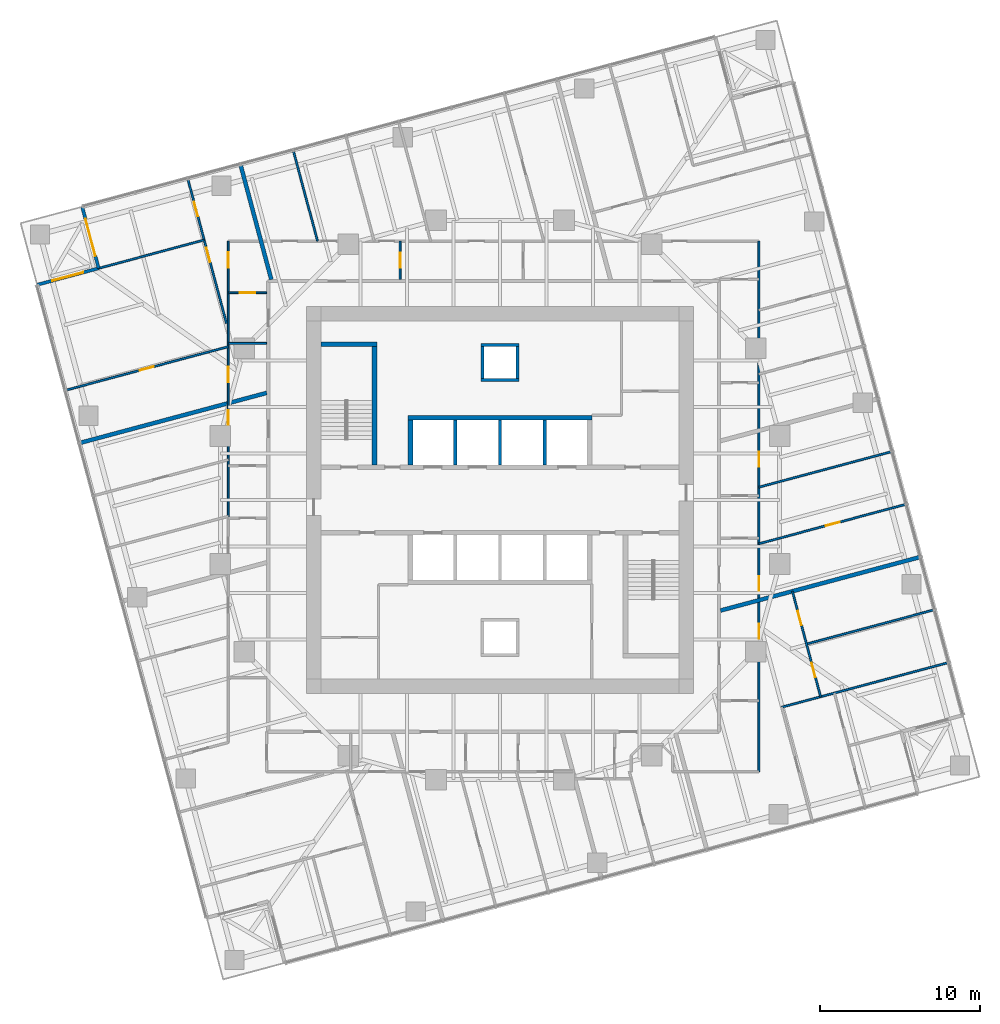
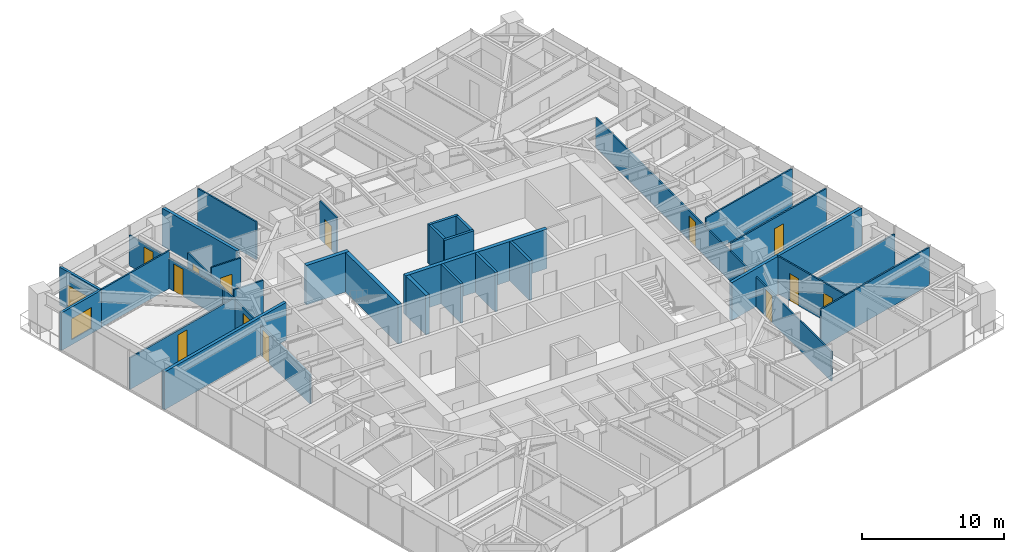
# One storey, part 11 of 14: 30 walls, 15 doors, 1 window, 16 openings.
"""IFC4 building model written with IfcOpenShell, lengths in metres."""

from ifc_helpers import new_model, si_unit, direction, frame, frame_2d, origin, place, context, subcontext, project, spatial, rectangle, extrude, material, layer, layer_set, type_object, element, fill, save


model = new_model("IFC4")

# Units and contexts
model_context = context("Model", 3, precision=1e-05, world=origin(), true_north=direction((0.0, 1.0)))
body_context = subcontext(model_context, "Body", "Model", "MODEL_VIEW")
ifc_project = project(units=[si_unit("LENGTHUNIT", "METRE"), si_unit("AREAUNIT", "SQUARE_METRE"), si_unit("VOLUMEUNIT", "CUBIC_METRE"), si_unit("PLANEANGLEUNIT", "RADIAN"), si_unit("MASSUNIT", "GRAM", prefix="KILO")], contexts=[model_context])

# Site, building, storey
site_placement = place(None, origin())
site = spatial("IfcSite", under=ifc_project, at=site_placement, CompositionType="ELEMENT")
building_placement = place(site_placement, origin())
building = spatial("IfcBuilding", under=site, at=building_placement, Name="Torsade Residences", CompositionType="ELEMENT")
storey_placement = place(building_placement, frame((0.0, 0.0, 128.60009765625)))
storey = spatial("IfcBuildingStorey", under=building, at=storey_placement, Name="L35", CompositionType="ELEMENT", Elevation=128.60009765625)

# Walls
ifc_material_1 = material(Name="Concrete 80 MPa", Category="concrete")
ifc_layer_1 = layer(ifc_material_1, 0.300048828125)
ifc_layer_set_1 = layer_set([ifc_layer_1], Name="Concrete 80 MPa")
wall_type_1 = type_object("IfcWallType", Name="CORE INTERNAL WALL 300", PredefinedType="SHEAR", material=ifc_layer_set_1)
wall_1_placement = place(storey_placement, frame((34.25, 35.14990234375, 0.0), z_axis=(0.0, 0.0, 1.0), x_axis=(1.0, 0.0, 0.0)))
element("IfcWall", 1, at=wall_1_placement, inside=storey, type_object=wall_type_1, Name="Core wall BN L35", PredefinedType="SHEAR", context=body_context, shape_type="SweptSolid", body=[
    extrude(rectangle(XDim=11.5, YDim=0.300048828125, at=frame_2d((5.75, 0.0))), origin(), (0.0, 0.0, 1.0), 3.39990234375),
])
wall_2_placement = place(storey_placement, frame((34.39990234375, 32.199951171875, 0.0), z_axis=(0.0, 0.0, 1.0), x_axis=(0.0, 1.0, 0.0)))
element("IfcWall", 2, at=wall_2_placement, inside=storey, type_object=wall_type_1, Name="Core wall DN0 L35", PredefinedType="SHEAR", context=body_context, shape_type="SweptSolid", body=[
    extrude(rectangle(XDim=2.800048828125, YDim=0.300048828125, at=frame_2d((1.39990234375, 0.0))), origin(), (0.0, 0.0, 1.0), 3.39990234375),
])
wall_3_placement = place(storey_placement, frame((32.14990234375, 32.199951171875, 0.0), z_axis=(0.0, 0.0, 1.0), x_axis=(0.0, 1.0, 0.0)))
element("IfcWall", 3, at=wall_3_placement, inside=storey, type_object=wall_type_1, Name="Core wall ST1E L35", PredefinedType="SHEAR", context=body_context, shape_type="SweptSolid", body=[
    extrude(rectangle(XDim=7.699951171875, YDim=0.300048828125, at=frame_2d((3.85009765625, 0.0))), origin(), (0.0, 0.0, 1.0), 3.39990234375),
])
wall_4_placement = place(storey_placement, frame((28.800048828125, 39.75, 0.0), z_axis=(0.0, 0.0, 1.0), x_axis=(1.0, 0.0, 0.0)))
element("IfcWall", 4, at=wall_4_placement, inside=storey, type_object=wall_type_1, Name="Core wall ST1N L35", PredefinedType="SHEAR", context=body_context, shape_type="SweptSolid", body=[
    extrude(rectangle(XDim=3.5, YDim=0.300048828125, at=frame_2d((1.75, 0.0))), origin(), (0.0, 0.0, 1.0), 3.39990234375),
])
ifc_material_2 = material(Name="Reinforced blockwork", Category="masonry")
ifc_layer_2 = layer(ifc_material_2, 0.199951171875)
ifc_layer_set_2 = layer_set([ifc_layer_2], Name="Reinforced blockwork")
wall_type_2 = type_object("IfcWallType", Name="LIFT SHAFT DIVIDING WALL 200", PredefinedType="SOLIDWALL", material=ifc_layer_set_2)
for number, where, z_axis, x_axis, name in (
    (5, (37.199951171875, 32.199951171875, 0.0), (0.0, 0.0, 1.0), (0.0, 1.0, 0.0), "Core wall DN1 L35"),
    (6, (40.0, 32.199951171875, 0.0), (0.0, 0.0, 1.0), (0.0, 1.0, 0.0), "Core wall DN2 L35"),
    (7, (42.800048828125, 32.199951171875, 0.0), (0.0, 0.0, 1.0), (0.0, 1.0, 0.0), "Core wall DN3 L35"),
):
    element("IfcWall", number, at=place(storey_placement, frame(where, z_axis=z_axis, x_axis=x_axis)), inside=storey, type_object=wall_type_2, Name=name, PredefinedType="SOLIDWALL", context=body_context, shape_type="SweptSolid", body=[
        extrude(rectangle(XDim=2.800048828125, YDim=0.199951171875, at=frame_2d((1.39990234375, 0.0))), origin(), (0.0, 0.0, 1.0), 3.39990234375),
    ])

# Wall, openings, doors
ifc_material_3 = material(Name="Plasterboard on steel stud", Category="steel")
ifc_layer_3 = layer(ifc_material_3, 0.1201171875)
ifc_layer_set_3 = layer_set([ifc_layer_3], Name="Plasterboard on steel stud")
wall_type_3 = type_object("IfcWallType", Name="PARTITION 120", PredefinedType="PARTITIONING", material=ifc_layer_set_3)
wall_5_placement = place(storey_placement, frame((56.199951171875, 46.199951171875, 0.0), z_axis=(0.0, 0.0, 1.0), x_axis=(0.0, -1.0, 0.0)))
wall_5 = element("IfcWall", 8, at=wall_5_placement, inside=storey, type_object=wall_type_3, Name="Partition L35", PredefinedType="PARTITIONING", context=body_context, shape_type="SweptSolid", body=[
    extrude(rectangle(XDim=33.199951171875, YDim=0.1201171875, at=frame_2d((16.60009765625, 0.0))), origin(), (0.0, 0.0, 1.0), 2.5498046875),
])
opening_1_placement = place(wall_5_placement, frame((23.95458984375, 0.0, 0.0)))
opening_1 = element("IfcOpeningElement", 9, at=opening_1_placement, cuts=wall_5, Name="Opening D02", PredefinedType="OPENING", context=body_context, shape_type="SweptSolid", body=[
    extrude(rectangle(XDim=0.919921875, YDim=2.340087890625, at=frame_2d((0.4599609375, 1.169921875))), frame((0.0, 0.070068359375, 0.0), z_axis=(0.0, -1.0, 0.0), x_axis=(1.0, 0.0, 0.0)), (0.0, 0.0, 1.0), 0.14013671875),
])
opening_2_placement = place(wall_5_placement, frame((20.96630859375, 0.0, 0.0)))
opening_2 = element("IfcOpeningElement", 10, at=opening_2_placement, cuts=wall_5, Name="Opening D02", PredefinedType="OPENING", context=body_context, shape_type="SweptSolid", body=[
    extrude(rectangle(XDim=0.919921875, YDim=2.340087890625, at=frame_2d((0.4599609375, 1.169921875))), frame((0.0, 0.070068359375, 0.0), z_axis=(0.0, -1.0, 0.0), x_axis=(1.0, 0.0, 0.0)), (0.0, 0.0, 1.0), 0.14013671875),
])
opening_3_placement = place(wall_5_placement, frame((13.173828125, 0.0, 0.0)))
opening_3 = element("IfcOpeningElement", 11, at=opening_3_placement, cuts=wall_5, Name="Opening D05", PredefinedType="OPENING", context=body_context, shape_type="SweptSolid", body=[
    extrude(rectangle(XDim=0.9599609375, YDim=2.10009765625, at=frame_2d((0.47998046875, 1.050048828125))), frame((0.0, 0.070068359375, 0.0), z_axis=(0.0, -1.0, 0.0), x_axis=(1.0, 0.0, 0.0)), (0.0, 0.0, 1.0), 0.14013671875),
])
ifc_material_4 = material(Name="Hollow-core timber door in a steel cavity frame", Category="steel")
door_type_1 = type_object("IfcDoorType", Name="BATHROOM CAVITY SLIDING DOOR 960", OperationType="SLIDING_TO_LEFT", PredefinedType="DOOR", material=ifc_material_4)
door_1_placement = place(opening_3_placement, origin())
door_1 = element("IfcDoor", 12, at=door_1_placement, inside=storey, type_object=door_type_1, Name="Door Bathroom to Bedroom 2", OperationType="SLIDING_TO_LEFT", OverallHeight=2.10009765625, OverallWidth=0.9599609375, PredefinedType="DOOR", context=body_context, shape_type="SweptSolid", body=[
    extrude(rectangle(XDim=0.9599609375, YDim=2.10009765625, at=frame_2d((0.47998046875, 1.050048828125))), frame((0.0, 0.02490234375, 0.0), z_axis=(0.0, -1.0, 0.0), x_axis=(1.0, 0.0, 0.0)), (0.0, 0.0, 1.0), 0.050048828125),
])
fill(opening_3, door_1)
ifc_material_5 = material(Name="Hollow-core timber door", Category="wood")
door_type_2 = type_object("IfcDoorType", Name="INTERNAL DOOR 920x2340", OperationType="NOTDEFINED", PredefinedType="DOOR", material=ifc_material_5)
door_2_placement = place(opening_1_placement, origin())
door_2 = element("IfcDoor", 13, at=door_2_placement, inside=storey, type_object=door_type_2, Name="Door Kitchen and dining to Living room", OperationType="SINGLE_SWING_RIGHT", OverallHeight=2.340087890625, OverallWidth=0.919921875, PredefinedType="DOOR", context=body_context, shape_type="SweptSolid", body=[
    extrude(rectangle(XDim=0.919921875, YDim=2.340087890625, at=frame_2d((0.4599609375, 1.169921875))), frame((0.0, 0.02490234375, 0.0), z_axis=(0.0, -1.0, 0.0), x_axis=(1.0, 0.0, 0.0)), (0.0, 0.0, 1.0), 0.050048828125),
])
fill(opening_1, door_2)
door_3_placement = place(opening_2_placement, origin())
door_3 = element("IfcDoor", 14, at=door_3_placement, inside=storey, type_object=door_type_2, Name="Door Kitchen and dining to Living room", OperationType="SINGLE_SWING_RIGHT", OverallHeight=2.340087890625, OverallWidth=0.919921875, PredefinedType="DOOR", context=body_context, shape_type="SweptSolid", body=[
    extrude(rectangle(XDim=0.919921875, YDim=2.340087890625, at=frame_2d((0.4599609375, 1.169921875))), frame((0.0, 0.02490234375, 0.0), z_axis=(0.0, -1.0, 0.0), x_axis=(1.0, 0.0, 0.0)), (0.0, 0.0, 1.0), 0.050048828125),
])
fill(opening_2, door_3)

wall_6_placement = place(storey_placement, frame((58.2919921875, 24.289794921875, 0.0), z_axis=(0.0, 0.0, 1.0), x_axis=(0.258809899302, -0.965928276853, 0.0)))
wall_6 = element("IfcWall", 15, at=wall_6_placement, inside=storey, type_object=wall_type_3, Name="Partition L35", PredefinedType="PARTITIONING", context=body_context, shape_type="SweptSolid", body=[
    extrude(rectangle(XDim=6.83349609375, YDim=0.1201171875, at=frame_2d((3.416748046875, 0.0))), origin(), (0.0, 0.0, 1.0), 3.25),
])
opening_4_placement = place(wall_6_placement, frame((1.2734375, 0.0, 0.0)))
opening_4 = element("IfcOpeningElement", 16, at=opening_4_placement, cuts=wall_6, Name="Opening D02", PredefinedType="OPENING", context=body_context, shape_type="SweptSolid", body=[
    extrude(rectangle(XDim=0.919921875, YDim=2.340087890625, at=frame_2d((0.4599609375, 1.169921875))), frame((0.0, 0.070068359375, 0.0), z_axis=(0.0, -1.0, 0.0), x_axis=(1.0, 0.0, 0.0)), (0.0, 0.0, 1.0), 0.14013671875),
])
opening_5_placement = place(wall_6_placement, frame((4.639892578125, 0.0, 0.0)))
opening_5 = element("IfcOpeningElement", 17, at=opening_5_placement, cuts=wall_6, Name="Opening D02", PredefinedType="OPENING", context=body_context, shape_type="SweptSolid", body=[
    extrude(rectangle(XDim=0.919921875, YDim=2.340087890625, at=frame_2d((0.4599609375, 1.169921875))), frame((0.0, 0.070068359375, 0.0), z_axis=(0.0, -1.0, 0.0), x_axis=(1.0, 0.0, 0.0)), (0.0, 0.0, 1.0), 0.14013671875),
])
door_4_placement = place(opening_4_placement, origin())
door_4 = element("IfcDoor", 18, at=door_4_placement, inside=storey, type_object=door_type_2, Name="Door Living room to Bedroom 1", OperationType="SINGLE_SWING_LEFT", OverallHeight=2.340087890625, OverallWidth=0.919921875, PredefinedType="DOOR", context=body_context, shape_type="SweptSolid", body=[
    extrude(rectangle(XDim=0.919921875, YDim=2.340087890625, at=frame_2d((0.4599609375, 1.169921875))), frame((0.0, 0.02490234375, 0.0), z_axis=(0.0, -1.0, 0.0), x_axis=(1.0, 0.0, 0.0)), (0.0, 0.0, 1.0), 0.050048828125),
])
fill(opening_4, door_4)
door_5_placement = place(opening_5_placement, origin())
door_5 = element("IfcDoor", 19, at=door_5_placement, inside=storey, type_object=door_type_2, Name="Door Living room to Bedroom 2", OperationType="SINGLE_SWING_LEFT", OverallHeight=2.340087890625, OverallWidth=0.919921875, PredefinedType="DOOR", context=body_context, shape_type="SweptSolid", body=[
    extrude(rectangle(XDim=0.919921875, YDim=2.340087890625, at=frame_2d((0.4599609375, 1.169921875))), frame((0.0, 0.02490234375, 0.0), z_axis=(0.0, -1.0, 0.0), x_axis=(1.0, 0.0, 0.0)), (0.0, 0.0, 1.0), 0.050048828125),
])
fill(opening_5, door_5)

# Walls
wall_7_placement = place(storey_placement, frame((68.048095703125, 19.82958984375, 0.0), z_axis=(0.0, 0.0, 1.0), x_axis=(-0.965921496576, -0.258835203272, 0.0)))
element("IfcWall", 20, at=wall_7_placement, inside=storey, type_object=wall_type_3, Name="Partition L35", PredefinedType="PARTITIONING", context=body_context, shape_type="SweptSolid", body=[
    extrude(rectangle(XDim=10.79345703125, YDim=0.1201171875, at=frame_2d((5.396728515625, 0.0))), origin(), (0.0, 0.0, 1.0), 3.25),
])
wall_8_placement = place(storey_placement, frame((67.163818359375, 23.129638671875, 0.0), z_axis=(0.0, 0.0, 1.0), x_axis=(-0.965929470378, -0.258805444794, 0.0)))
element("IfcWall", 21, at=wall_8_placement, inside=storey, type_object=wall_type_3, Name="Partition L35", PredefinedType="PARTITIONING", context=body_context, shape_type="SweptSolid", body=[
    extrude(rectangle(XDim=8.269287109375, YDim=0.1201171875, at=frame_2d((4.134765625, 0.0))), origin(), (0.0, 0.0, 1.0), 2.721923828125),
])

# Wall, opening, door
wall_9_placement = place(storey_placement, frame((56.199951171875, 27.266357421875, 0.0), z_axis=(0.0, 0.0, 1.0), x_axis=(0.965926072385, 0.25881812666, 0.0)))
wall_9 = element("IfcWall", 22, at=wall_9_placement, inside=storey, type_object=wall_type_3, Name="Partition L35", PredefinedType="PARTITIONING", context=body_context, shape_type="SweptSolid", body=[
    extrude(rectangle(XDim=9.519775390625, YDim=0.1201171875, at=frame_2d((4.759765625, 0.0))), origin(), (0.0, 0.0, 1.0), 3.25),
])
opening_6_placement = place(wall_9_placement, frame((4.31982421875, 0.0, 0.0)))
opening_6 = element("IfcOpeningElement", 23, at=opening_6_placement, cuts=wall_9, Name="Opening D02", PredefinedType="OPENING", context=body_context, shape_type="SweptSolid", body=[
    extrude(rectangle(XDim=0.919921875, YDim=2.340087890625, at=frame_2d((0.4599609375, 1.169921875))), frame((0.0, 0.070068359375, 0.0), z_axis=(0.0, -1.0, 0.0), x_axis=(1.0, 0.0, 0.0)), (0.0, 0.0, 1.0), 0.14013671875),
])
door_6_placement = place(opening_6_placement, origin())
door_6 = element("IfcDoor", 24, at=door_6_placement, inside=storey, type_object=door_type_2, Name="Door Living room to Bedroom 1", OperationType="SINGLE_SWING_LEFT", OverallHeight=2.340087890625, OverallWidth=0.919921875, PredefinedType="DOOR", context=body_context, shape_type="SweptSolid", body=[
    extrude(rectangle(XDim=0.919921875, YDim=2.340087890625, at=frame_2d((0.4599609375, 1.169921875))), frame((0.0, 0.02490234375, 0.0), z_axis=(0.0, -1.0, 0.0), x_axis=(1.0, 0.0, 0.0)), (0.0, 0.0, 1.0), 0.050048828125),
])
fill(opening_6, door_6)

# Wall
wall_10_placement = place(storey_placement, frame((56.199951171875, 30.803466796875, 0.0), z_axis=(0.0, 0.0, 1.0), x_axis=(0.965920565748, 0.258838676912, 0.0)))
element("IfcWall", 25, at=wall_10_placement, inside=storey, type_object=wall_type_3, Name="Partition L35", PredefinedType="PARTITIONING", context=body_context, shape_type="SweptSolid", body=[
    extrude(rectangle(XDim=8.60400390625, YDim=0.1201171875, at=frame_2d((4.302001953125, 0.0))), origin(), (0.0, 0.0, 1.0), 3.25),
])

# Wall, opening, door
wall_11_placement = place(storey_placement, frame((33.754150390625, 46.199951171875, 0.0), z_axis=(0.0, 0.0, 1.0), x_axis=(0.0, -1.0, 0.0)))
wall_11 = element("IfcWall", 26, at=wall_11_placement, inside=storey, type_object=wall_type_3, Name="Partition L35", PredefinedType="PARTITIONING", context=body_context, shape_type="SweptSolid", body=[
    extrude(rectangle(XDim=2.39990234375, YDim=0.1201171875, at=frame_2d((1.199951171875, 0.0))), origin(), (0.0, 0.0, 1.0), 3.25),
])
opening_7_placement = place(wall_11_placement, frame((0.719970703125, 0.0, 0.0)))
opening_7 = element("IfcOpeningElement", 27, at=opening_7_placement, cuts=wall_11, Name="Opening D05", PredefinedType="OPENING", context=body_context, shape_type="SweptSolid", body=[
    extrude(rectangle(XDim=0.9599609375, YDim=2.10009765625, at=frame_2d((0.47998046875, 1.050048828125))), frame((0.0, 0.070068359375, 0.0), z_axis=(0.0, -1.0, 0.0), x_axis=(1.0, 0.0, 0.0)), (0.0, 0.0, 1.0), 0.14013671875),
])
door_7_placement = place(opening_7_placement, origin())
door_7 = element("IfcDoor", 28, at=door_7_placement, inside=storey, type_object=door_type_1, Name="Door Kitchen and dining to Bathroom", OperationType="SLIDING_TO_LEFT", OverallHeight=2.10009765625, OverallWidth=0.9599609375, PredefinedType="DOOR", context=body_context, shape_type="SweptSolid", body=[
    extrude(rectangle(XDim=0.9599609375, YDim=2.10009765625, at=frame_2d((0.47998046875, 1.050048828125))), frame((0.0, 0.02490234375, 0.0), z_axis=(0.0, -1.0, 0.0), x_axis=(1.0, 0.0, 0.0)), (0.0, 0.0, 1.0), 0.050048828125),
])
fill(opening_7, door_7)

# Walls
wall_12_placement = place(storey_placement, frame((28.584716796875, 46.199951171875, 0.0), z_axis=(0.0, 0.0, 1.0), x_axis=(-0.258790947109, 0.965933354686, 0.0)))
element("IfcWall", 29, at=wall_12_placement, inside=storey, type_object=wall_type_3, Name="Partition L35", PredefinedType="PARTITIONING", context=body_context, shape_type="SweptSolid", body=[
    extrude(rectangle(XDim=5.857421875, YDim=0.1201171875, at=frame_2d((2.9287109375, 0.0))), origin(), (0.0, 0.0, 1.0), 3.25),
])
wall_13_placement = place(storey_placement, frame((25.39990234375, 39.79541015625, 0.0), z_axis=(0.0, 0.0, 1.0), x_axis=(-1.0, 0.0, 0.0)))
element("IfcWall", 30, at=wall_13_placement, inside=storey, type_object=wall_type_3, Name="Partition L35", PredefinedType="PARTITIONING", context=body_context, shape_type="SweptSolid", body=[
    extrude(rectangle(XDim=2.39990234375, YDim=0.1201171875, at=frame_2d((1.199951171875, 0.0))), origin(), (0.0, 0.0, 1.0), 3.25),
])

# Wall, openings, doors
wall_14_placement = place(storey_placement, frame((23.0, 28.93017578125, 0.0), z_axis=(0.0, 0.0, 1.0), x_axis=(0.0, 1.0, 0.0)))
wall_14 = element("IfcWall", 31, at=wall_14_placement, inside=storey, type_object=wall_type_3, Name="Partition L35", PredefinedType="PARTITIONING", context=body_context, shape_type="SweptSolid", body=[
    extrude(rectangle(XDim=17.269775390625, YDim=0.1201171875, at=frame_2d((8.634765625, 0.0))), origin(), (0.0, 0.0, 1.0), 2.5498046875),
])
opening_8_placement = place(wall_14_placement, frame((5.771728515625, 0.0, 0.0)))
opening_8 = element("IfcOpeningElement", 32, at=opening_8_placement, cuts=wall_14, Name="Opening D02", PredefinedType="OPENING", context=body_context, shape_type="SweptSolid", body=[
    extrude(rectangle(XDim=0.919921875, YDim=2.340087890625, at=frame_2d((0.4599609375, 1.169921875))), frame((0.0, 0.070068359375, 0.0), z_axis=(0.0, -1.0, 0.0), x_axis=(1.0, 0.0, 0.0)), (0.0, 0.0, 1.0), 0.14013671875),
])
opening_9_placement = place(wall_14_placement, frame((15.5986328125, 0.0, 0.0)))
opening_9 = element("IfcOpeningElement", 33, at=opening_9_placement, cuts=wall_14, Name="Opening D05", PredefinedType="OPENING", context=body_context, shape_type="SweptSolid", body=[
    extrude(rectangle(XDim=0.9599609375, YDim=2.10009765625, at=frame_2d((0.47998046875, 1.050048828125))), frame((0.0, 0.070068359375, 0.0), z_axis=(0.0, -1.0, 0.0), x_axis=(1.0, 0.0, 0.0)), (0.0, 0.0, 1.0), 0.14013671875),
])
opening_10_placement = place(wall_14_placement, frame((8.440673828125, 0.0, 0.0)))
opening_10 = element("IfcOpeningElement", 34, at=opening_10_placement, cuts=wall_14, Name="Opening D05", PredefinedType="OPENING", context=body_context, shape_type="SweptSolid", body=[
    extrude(rectangle(XDim=0.9599609375, YDim=2.10009765625, at=frame_2d((0.47998046875, 1.050048828125))), frame((0.0, 0.070068359375, 0.0), z_axis=(0.0, -1.0, 0.0), x_axis=(1.0, 0.0, 0.0)), (0.0, 0.0, 1.0), 0.14013671875),
])
door_8_placement = place(opening_9_placement, origin())
door_8 = element("IfcDoor", 35, at=door_8_placement, inside=storey, type_object=door_type_1, Name="Door WC to Bedroom 3", OperationType="SLIDING_TO_LEFT", OverallHeight=2.10009765625, OverallWidth=0.9599609375, PredefinedType="DOOR", context=body_context, shape_type="SweptSolid", body=[
    extrude(rectangle(XDim=0.9599609375, YDim=2.10009765625, at=frame_2d((0.47998046875, 1.050048828125))), frame((0.0, 0.02490234375, 0.0), z_axis=(0.0, -1.0, 0.0), x_axis=(1.0, 0.0, 0.0)), (0.0, 0.0, 1.0), 0.050048828125),
])
fill(opening_9, door_8)
door_9_placement = place(opening_10_placement, origin())
door_9 = element("IfcDoor", 36, at=door_9_placement, inside=storey, type_object=door_type_1, Name="Door Bedroom 1 to Bathroom", OperationType="SLIDING_TO_LEFT", OverallHeight=2.10009765625, OverallWidth=0.9599609375, PredefinedType="DOOR", context=body_context, shape_type="SweptSolid", body=[
    extrude(rectangle(XDim=0.9599609375, YDim=2.10009765625, at=frame_2d((0.47998046875, 1.050048828125))), frame((0.0, 0.02490234375, 0.0), z_axis=(0.0, -1.0, 0.0), x_axis=(1.0, 0.0, 0.0)), (0.0, 0.0, 1.0), 0.050048828125),
])
fill(opening_10, door_9)
door_10_placement = place(opening_8_placement, origin())
door_10 = element("IfcDoor", 37, at=door_10_placement, inside=storey, type_object=door_type_2, Name="Door Kitchen and dining to Living room", OperationType="SINGLE_SWING_LEFT", OverallHeight=2.340087890625, OverallWidth=0.919921875, PredefinedType="DOOR", context=body_context, shape_type="SweptSolid", body=[
    extrude(rectangle(XDim=0.919921875, YDim=2.340087890625, at=frame_2d((0.4599609375, 1.169921875))), frame((0.0, 0.02490234375, 0.0), z_axis=(0.0, -1.0, 0.0), x_axis=(1.0, 0.0, 0.0)), (0.0, 0.0, 1.0), 0.050048828125),
])
fill(opening_8, door_10)

# Wall, opening, door
wall_15_placement = place(storey_placement, frame((23.0, 42.968017578125, 0.0), z_axis=(0.0, 0.0, 1.0), x_axis=(1.0, 0.0, 0.0)))
wall_15 = element("IfcWall", 38, at=wall_15_placement, inside=storey, type_object=wall_type_3, Name="Partition L35", PredefinedType="PARTITIONING", context=body_context, shape_type="SweptSolid", body=[
    extrude(rectangle(XDim=2.39990234375, YDim=0.1201171875, at=frame_2d((1.199951171875, 0.0))), origin(), (0.0, 0.0, 1.0), 3.25),
])
opening_11_placement = place(wall_15_placement, frame((0.719970703125, 0.0, 0.0)))
opening_11 = element("IfcOpeningElement", 39, at=opening_11_placement, cuts=wall_15, Name="Opening D05", PredefinedType="OPENING", context=body_context, shape_type="SweptSolid", body=[
    extrude(rectangle(XDim=0.9599609375, YDim=2.10009765625, at=frame_2d((0.47998046875, 1.050048828125))), frame((0.0, 0.070068359375, 0.0), z_axis=(0.0, -1.0, 0.0), x_axis=(1.0, 0.0, 0.0)), (0.0, 0.0, 1.0), 0.14013671875),
])
door_11_placement = place(opening_11_placement, origin())
door_11 = element("IfcDoor", 40, at=door_11_placement, inside=storey, type_object=door_type_1, Name="Door Kitchen and dining to WC", OperationType="SLIDING_TO_LEFT", OverallHeight=2.10009765625, OverallWidth=0.9599609375, PredefinedType="DOOR", context=body_context, shape_type="SweptSolid", body=[
    extrude(rectangle(XDim=0.9599609375, YDim=2.10009765625, at=frame_2d((0.47998046875, 1.050048828125))), frame((0.0, 0.02490234375, 0.0), z_axis=(0.0, -1.0, 0.0), x_axis=(1.0, 0.0, 0.0)), (0.0, 0.0, 1.0), 0.050048828125),
])
fill(opening_11, door_11)

wall_16_placement = place(storey_placement, frame((23.0, 39.59375, 0.0), z_axis=(0.0, 0.0, 1.0), x_axis=(-0.9659257847, -0.258819200315, 0.0)))
wall_16 = element("IfcWall", 41, at=wall_16_placement, inside=storey, type_object=wall_type_3, Name="Partition L35", PredefinedType="PARTITIONING", context=body_context, shape_type="SweptSolid", body=[
    extrude(rectangle(XDim=10.5224609375, YDim=0.1201171875, at=frame_2d((5.26123046875, 0.0))), origin(), (0.0, 0.0, 1.0), 2.721923828125),
])
opening_12_placement = place(wall_16_placement, frame((4.821044921875, 0.0, 0.0)))
opening_12 = element("IfcOpeningElement", 42, at=opening_12_placement, cuts=wall_16, Name="Opening D02", PredefinedType="OPENING", context=body_context, shape_type="SweptSolid", body=[
    extrude(rectangle(XDim=0.919921875, YDim=2.340087890625, at=frame_2d((0.4599609375, 1.169921875))), frame((0.0, 0.070068359375, 0.0), z_axis=(0.0, -1.0, 0.0), x_axis=(1.0, 0.0, 0.0)), (0.0, 0.0, 1.0), 0.14013671875),
])
door_12_placement = place(opening_12_placement, origin())
door_12 = element("IfcDoor", 43, at=door_12_placement, inside=storey, type_object=door_type_2, Name="Door Living room to Bedroom 1", OperationType="SINGLE_SWING_RIGHT", OverallHeight=2.340087890625, OverallWidth=0.919921875, PredefinedType="DOOR", context=body_context, shape_type="SweptSolid", body=[
    extrude(rectangle(XDim=0.919921875, YDim=2.340087890625, at=frame_2d((0.4599609375, 1.169921875))), frame((0.0, 0.02490234375, 0.0), z_axis=(0.0, -1.0, 0.0), x_axis=(1.0, 0.0, 0.0)), (0.0, 0.0, 1.0), 0.050048828125),
])
fill(opening_12, door_12)

# Wall
wall_17_placement = place(storey_placement, frame((14.931396484375, 44.506103515625, 0.0), z_axis=(0.0, 0.0, 1.0), x_axis=(0.965922865286, 0.258830095464, 0.0)))
element("IfcWall", 44, at=wall_17_placement, inside=storey, type_object=wall_type_3, Name="Partition L35", PredefinedType="PARTITIONING", context=body_context, shape_type="SweptSolid", body=[
    extrude(rectangle(XDim=6.793212890625, YDim=0.1201171875, at=frame_2d((3.396484375, 0.0))), origin(), (0.0, 0.0, 1.0), 3.25),
])

# Wall, openings, doors
wall_18_placement = place(storey_placement, frame((20.46826171875, 50.08935546875, 0.0), z_axis=(0.0, 0.0, 1.0), x_axis=(0.25881390457, -0.965927203676, 0.0)))
wall_18 = element("IfcWall", 45, at=wall_18_placement, inside=storey, type_object=wall_type_3, Name="Partition L35", PredefinedType="PARTITIONING", context=body_context, shape_type="SweptSolid", body=[
    extrude(rectangle(XDim=9.356689453125, YDim=0.1201171875, at=frame_2d((4.67822265625, 0.0))), origin(), (0.0, 0.0, 1.0), 2.637939453125),
])
opening_13_placement = place(wall_18_placement, frame((4.4609375, 0.0, 0.0)))
opening_13 = element("IfcOpeningElement", 46, at=opening_13_placement, cuts=wall_18, Name="Opening D02", PredefinedType="OPENING", context=body_context, shape_type="SweptSolid", body=[
    extrude(rectangle(XDim=0.919921875, YDim=2.340087890625, at=frame_2d((0.4599609375, 1.169921875))), frame((0.0, 0.070068359375, 0.0), z_axis=(0.0, -1.0, 0.0), x_axis=(1.0, 0.0, 0.0)), (0.0, 0.0, 1.0), 0.14013671875),
])
opening_14_placement = place(wall_18_placement, frame((1.5, 0.0, 0.0)))
opening_14 = element("IfcOpeningElement", 47, at=opening_14_placement, cuts=wall_18, Name="Opening D02", PredefinedType="OPENING", context=body_context, shape_type="SweptSolid", body=[
    extrude(rectangle(XDim=0.919921875, YDim=2.340087890625, at=frame_2d((0.4599609375, 1.169921875))), frame((0.0, 0.070068359375, 0.0), z_axis=(0.0, -1.0, 0.0), x_axis=(1.0, 0.0, 0.0)), (0.0, 0.0, 1.0), 0.14013671875),
])
door_13_placement = place(opening_13_placement, origin())
door_13 = element("IfcDoor", 48, at=door_13_placement, inside=storey, type_object=door_type_2, Name="Door Bedroom 3 to Living room", OperationType="SINGLE_SWING_LEFT", OverallHeight=2.340087890625, OverallWidth=0.919921875, PredefinedType="DOOR", context=body_context, shape_type="SweptSolid", body=[
    extrude(rectangle(XDim=0.919921875, YDim=2.340087890625, at=frame_2d((0.4599609375, 1.169921875))), frame((0.0, 0.02490234375, 0.0), z_axis=(0.0, -1.0, 0.0), x_axis=(1.0, 0.0, 0.0)), (0.0, 0.0, 1.0), 0.050048828125),
])
fill(opening_13, door_13)
door_14_placement = place(opening_14_placement, origin())
door_14 = element("IfcDoor", 49, at=door_14_placement, inside=storey, type_object=door_type_2, Name="Door Bedroom 3 to Bedroom 2", OperationType="SINGLE_SWING_LEFT", OverallHeight=2.340087890625, OverallWidth=0.919921875, PredefinedType="DOOR", context=body_context, shape_type="SweptSolid", body=[
    extrude(rectangle(XDim=0.919921875, YDim=2.340087890625, at=frame_2d((0.4599609375, 1.169921875))), frame((0.0, 0.02490234375, 0.0), z_axis=(0.0, -1.0, 0.0), x_axis=(1.0, 0.0, 0.0)), (0.0, 0.0, 1.0), 0.050048828125),
])
fill(opening_14, door_14)

# Walls
ifc_material_6 = material(Name="Masonry-lined stud party wall", Category="masonry")
ifc_layer_4 = layer(ifc_material_6, 0.25)
ifc_layer_set_4 = layer_set([ifc_layer_4], Name="Masonry-lined stud party wall")
wall_type_4 = type_object("IfcWallType", Name="PARTY WALL 250", PredefinedType="PARTITIONING", material=ifc_layer_set_4)
wall_19_placement = place(storey_placement, frame((23.75830078125, 51.01220703125, 0.0), z_axis=(0.0, 0.0, 1.0), x_axis=(0.258805213744, -0.965929532284, 0.0)))
element("IfcWall", 50, at=wall_19_placement, inside=storey, type_object=wall_type_4, Name="Party wall L35", PredefinedType="PARTITIONING", context=body_context, shape_type="SweptSolid", body=[
    extrude(rectangle(XDim=7.47314453125, YDim=0.25, at=frame_2d((3.736572265625, 0.0))), origin(), (0.0, 0.0, 1.0), 3.25),
])
wall_20_placement = place(storey_placement, frame((66.318115234375, 26.4404296875, 0.0), z_axis=(0.0, 0.0, 1.0), x_axis=(-0.965924854576, -0.258822671559, 0.0)))
element("IfcWall", 51, at=wall_20_placement, inside=storey, type_object=wall_type_4, Name="Party wall L35", PredefinedType="PARTITIONING", context=body_context, shape_type="SweptSolid", body=[
    extrude(rectangle(XDim=12.96630859375, YDim=0.25, at=frame_2d((6.483154296875, 0.0))), origin(), (0.0, 0.0, 1.0), 3.25),
])
wall_21_placement = place(storey_placement, frame((13.681884765625, 33.5595703125, 0.0), z_axis=(0.0, 0.0, 1.0), x_axis=(0.965924438766, 0.258824223352, 0.0)))
element("IfcWall", 52, at=wall_21_placement, inside=storey, type_object=wall_type_4, Name="Party wall L35", PredefinedType="PARTITIONING", context=body_context, shape_type="SweptSolid", body=[
    extrude(rectangle(XDim=12.137939453125, YDim=0.25, at=frame_2d((6.06884765625, 0.0))), origin(), (0.0, 0.0, 1.0), 3.25),
])
ifc_material_7 = material(Name="Reinforced blockwork", Category="masonry")
ifc_layer_5 = layer(ifc_material_7, 0.199951171875)
ifc_layer_set_5 = layer_set([ifc_layer_5], Name="Reinforced blockwork")
wall_type_5 = type_object("IfcWallType", Name="RISER SHAFT WALL 200", PredefinedType="SOLIDWALL", material=ifc_layer_set_5)
for number, where, z_axis, x_axis, name in (
    (53, (38.89990234375, 37.60009765625, 0.0), (0.0, 0.0, 1.0), (0.0, 1.0, 0.0), "Core wall RS1a L35"),
    (54, (41.10009765625, 37.60009765625, 0.0), (0.0, 0.0, 1.0), (0.0, 1.0, 0.0), "Core wall RS1b L35"),
):
    element("IfcWall", number, at=place(storey_placement, frame(where, z_axis=z_axis, x_axis=x_axis)), inside=storey, type_object=wall_type_5, Name=name, PredefinedType="SOLIDWALL", context=body_context, shape_type="SweptSolid", body=[
        extrude(rectangle(XDim=2.0, YDim=0.199951171875, at=frame_2d((1.0, 0.0))), origin(), (0.0, 0.0, 1.0), 3.39990234375),
    ])
for number, where, z_axis, x_axis, name in (
    (55, (38.800048828125, 37.5, 0.0), (0.0, 0.0, 1.0), (1.0, 0.0, 0.0), "Core wall RS1c L35"),
    (56, (38.800048828125, 39.699951171875, 0.0), (0.0, 0.0, 1.0), (1.0, 0.0, 0.0), "Core wall RS1d L35"),
):
    element("IfcWall", number, at=place(storey_placement, frame(where, z_axis=z_axis, x_axis=x_axis)), inside=storey, type_object=wall_type_5, Name=name, PredefinedType="SOLIDWALL", context=body_context, shape_type="SweptSolid", body=[
        extrude(rectangle(XDim=2.39990234375, YDim=0.199951171875, at=frame_2d((1.199951171875, 0.0))), origin(), (0.0, 0.0, 1.0), 3.39990234375),
    ])

# Wall, opening, door
ifc_material_8 = material(Name="Stone-faced precast concrete 40 MPa panel", Category="masonry")
ifc_layer_6 = layer(ifc_material_8, 0.199951171875)
ifc_layer_set_6 = layer_set([ifc_layer_6], Name="Stone-faced precast concrete 40 MPa panel")
wall_type_6 = type_object("IfcWallType", Name="TERRACE WALL 200", PredefinedType="SOLIDWALL", material=ifc_layer_set_6)
wall_22_placement = place(storey_placement, frame((13.857421875, 48.359375, 0.0), z_axis=(0.0, 0.0, 1.0), x_axis=(0.258843877716, -0.965919172068, 0.0)))
wall_22 = element("IfcWall", 57, at=wall_22_placement, inside=storey, type_object=wall_type_6, Name="Terrace wall L35 8", PredefinedType="SOLIDWALL", context=body_context, shape_type="SweptSolid", body=[
    extrude(rectangle(XDim=4.0, YDim=0.199951171875, at=frame_2d((2.0, 0.0))), origin(), (0.0, 0.0, 1.0), 3.25),
])
opening_15_placement = place(wall_22_placement, frame((0.800048828125, 0.0, 0.0)))
opening_15 = element("IfcOpeningElement", 58, at=opening_15_placement, cuts=wall_22, Name="Opening D10A", PredefinedType="OPENING", context=body_context, shape_type="SweptSolid", body=[
    extrude(rectangle(XDim=2.39990234375, YDim=2.10009765625, at=frame_2d((1.199951171875, 1.050048828125))), frame((0.0, 0.10986328125, 0.0), z_axis=(0.0, -1.0, 0.0), x_axis=(1.0, 0.0, 0.0)), (0.0, 0.0, 1.0), 0.219970703125),
])
ifc_material_9 = material(Name="Aluminium-framed glass door", Category="aluminium")
door_type_3 = type_object("IfcDoorType", Name="TERRACE SLIDING DOOR 2400x2100", OperationType="SLIDING_TO_LEFT", PredefinedType="DOOR", material=ifc_material_9)
door_15_placement = place(opening_15_placement, origin())
door_15 = element("IfcDoor", 59, at=door_15_placement, inside=storey, type_object=door_type_3, Name="Terrace door L35 8", OperationType="SLIDING_TO_LEFT", OverallHeight=2.10009765625, OverallWidth=2.39990234375, PredefinedType="DOOR", context=body_context, shape_type="SweptSolid", body=[
    extrude(rectangle(XDim=2.39990234375, YDim=2.10009765625, at=frame_2d((1.199951171875, 1.050048828125))), frame((0.0, 0.02490234375, 0.0), z_axis=(0.0, -1.0, 0.0), x_axis=(1.0, 0.0, 0.0)), (0.0, 0.0, 1.0), 0.050048828125),
])
fill(opening_15, door_15)

# Wall, opening, window
wall_23_placement = place(storey_placement, frame((14.892822265625, 44.49560546875, 0.0), z_axis=(0.0, 0.0, 1.0), x_axis=(-0.965934430412, -0.258786931944, 0.0)))
wall_23 = element("IfcWall", 60, at=wall_23_placement, inside=storey, type_object=wall_type_6, Name="Terrace wall L35 9", PredefinedType="SOLIDWALL", context=body_context, shape_type="SweptSolid", body=[
    extrude(rectangle(XDim=4.0, YDim=0.199951171875, at=frame_2d((2.0, 0.0))), origin(), (0.0, 0.0, 1.0), 3.25),
])
opening_16_placement = place(wall_23_placement, frame((1.0, 0.0, 0.449951171875)))
opening_16 = element("IfcOpeningElement", 61, at=opening_16_placement, cuts=wall_23, Name="Opening W1B", PredefinedType="OPENING", context=body_context, shape_type="SweptSolid", body=[
    extrude(rectangle(XDim=2.0, YDim=1.800048828125, at=frame_2d((1.0, 0.89990234375))), frame((0.0, 0.10986328125, 0.0), z_axis=(0.0, -1.0, 0.0), x_axis=(1.0, 0.0, 0.0)), (0.0, 0.0, 1.0), 0.219970703125),
])
ifc_material_10 = material(Name="Aluminium-framed glass window", Category="aluminium")
window_type = type_object("IfcWindowType", Name="TERRACE WINDOW 2000x1800", PartitioningType="SINGLE_PANEL", PredefinedType="WINDOW", material=ifc_material_10)
window_placement = place(opening_16_placement, origin())
window = element("IfcWindow", 62, at=window_placement, inside=storey, type_object=window_type, Name="Terrace window L35 9", OverallHeight=1.800048828125, OverallWidth=2.0, PartitioningType="SINGLE_PANEL", PredefinedType="WINDOW", context=body_context, shape_type="SweptSolid", body=[
    extrude(rectangle(XDim=2.0, YDim=1.800048828125, at=frame_2d((1.0, 0.89990234375))), frame((0.0, 0.030029296875, 0.0), z_axis=(0.0, -1.0, 0.0), x_axis=(1.0, 0.0, 0.0)), (0.0, 0.0, 1.0), 0.06005859375),
])
fill(opening_16, window)

save(model, "model.ifc")
